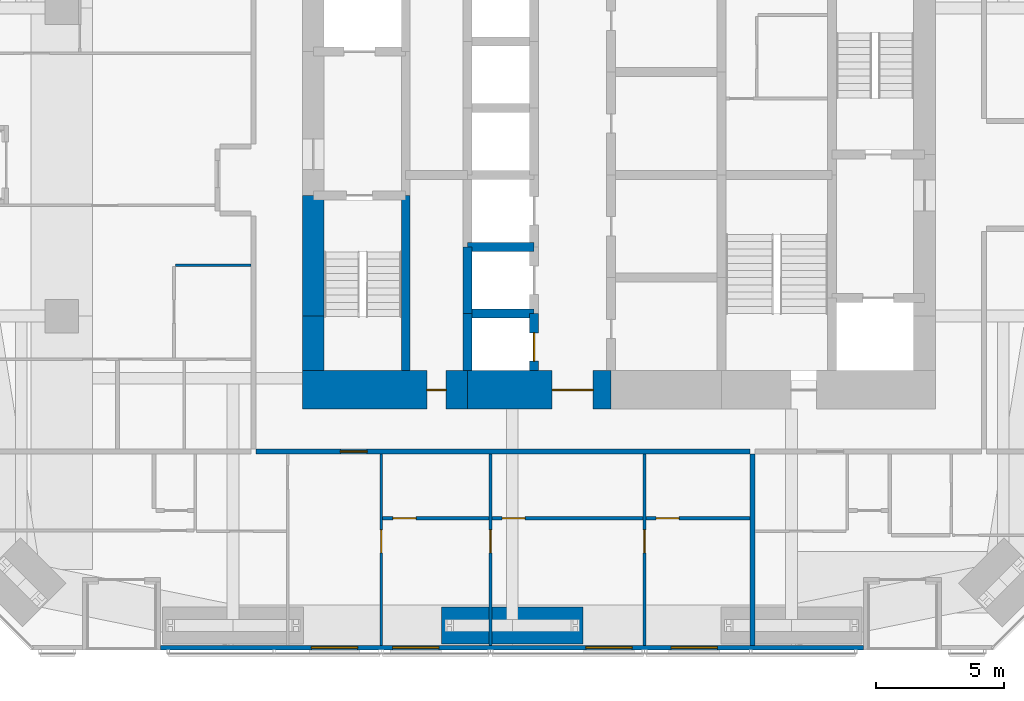
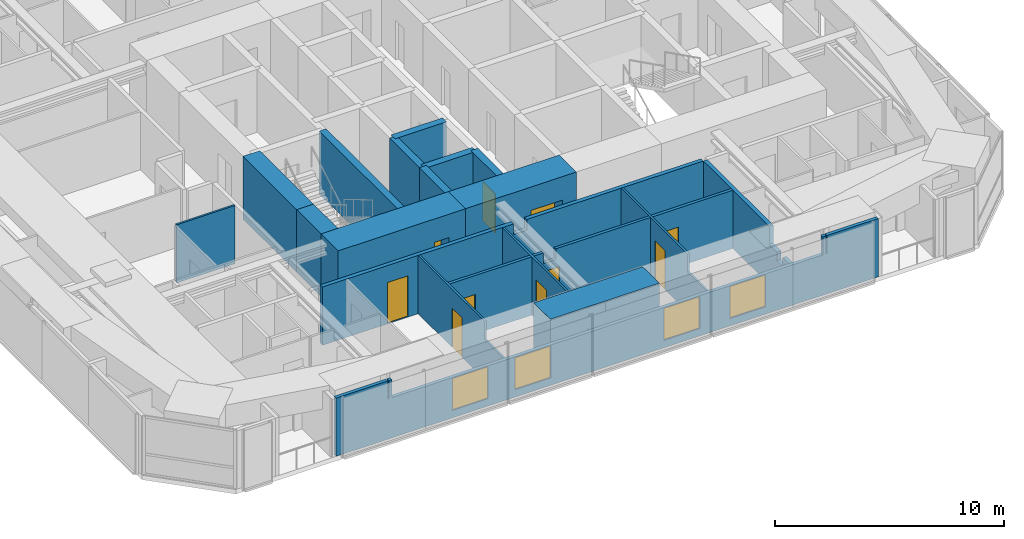
# One storey, part 17 of 23: 21 walls, 10 doors, 4 windows, 14 openings.
"""IFC4 building model written with IfcOpenShell, lengths in metres."""

import ifcopenshell
import ifcopenshell.guid

model = None  # the IFC model being written
_history = None  # IfcOwnerHistory: only IFC2X3 demands one
_inside = {}  # id of a spatial element -> (the spatial element, [elements in it])
_under = {}  # id of a project, library or spatial element -> (it, [spatial elements below it])
_declared = {}  # id of a project -> (the project, [libraries it declares])
_typed = {}  # id of a type object -> (the type object, [elements of that type])
_made_of = {}  # id of a material, layer set ... -> (it, [elements and type objects made of it])


def new_model(schema):
    """Start an empty IFC model of exactly this schema.

    Asked for "IFC4X3", IfcOpenShell would pick the latest addendum, in which some entities
    have other attributes; the version numbers below select the first issue.
    IFC2X3 requires an IfcOwnerHistory on every rooted entity: one is made here for all.
    """
    global model, _history
    if schema == "IFC4X3":
        model = ifcopenshell.file(schema_version=(4, 3, 0, 0))
    else:
        model = ifcopenshell.file(schema=schema)
    _inside.clear()
    _under.clear()
    _declared.clear()
    _typed.clear()
    _made_of.clear()
    _history = None
    if model.schema == "IFC2X3":
        org = make("IfcOrganization", Name="unknown")
        user = make(
            "IfcPersonAndOrganization",
            ThePerson=make("IfcPerson", FamilyName="unknown"),
            TheOrganization=org,
        )
        app = make(
            "IfcApplication",
            ApplicationDeveloper=org,
            Version="unknown",
            ApplicationFullName="unknown",
            ApplicationIdentifier="unknown",
        )
        _history = make(
            "IfcOwnerHistory",
            OwningUser=user,
            OwningApplication=app,
            ChangeAction="ADDED",
            CreationDate=0,
        )
    return model


def make(cls, **values):
    """One entity of the class cls with the attributes given. An attribute that is None is left unset."""
    return model.create_entity(
        cls, **{name: value for name, value in values.items() if value is not None}
    )


def rooted(cls, **values):
    """An entity with a GlobalId (a new one), such as an element, a storey or a relation."""
    return make(cls, GlobalId=ifcopenshell.guid.new(), OwnerHistory=_history, **values)


def si_unit(unit_type, name, prefix=None):
    """IfcSIUnit, for example si_unit("LENGTHUNIT", "METRE", prefix="MILLI")."""
    return make("IfcSIUnit", UnitType=unit_type, Prefix=prefix, Name=name)


def assignment(units):
    """IfcUnitAssignment: the units of a project."""
    return None if units is None else make("IfcUnitAssignment", Units=units)


def point(xyz):
    """IfcCartesianPoint."""
    return None if xyz is None else make("IfcCartesianPoint", Coordinates=xyz)


def direction(xyz):
    """IfcDirection."""
    return None if xyz is None else make("IfcDirection", DirectionRatios=xyz)


def frame(location, z_axis=None, x_axis=None):
    """IfcAxis2Placement3D, a coordinate frame: its origin and axes. An axis left out is left unset."""
    return make(
        "IfcAxis2Placement3D",
        Location=point(location),
        Axis=direction(z_axis),
        RefDirection=direction(x_axis),
    )


def frame_2d(location, x_axis=None):
    """IfcAxis2Placement2D, a coordinate frame in the plane: its origin and x axis."""
    return make(
        "IfcAxis2Placement2D", Location=point(location), RefDirection=direction(x_axis)
    )


def origin():
    """The frame at (0, 0, 0) with its axes left unset."""
    return frame((0.0, 0.0, 0.0))


def place(relative_to, where):
    """IfcLocalPlacement: puts the frame where relative to a parent placement (None: the world)."""
    return make(
        "IfcLocalPlacement", PlacementRelTo=relative_to, RelativePlacement=where
    )


def context(
    kind, dimensions, precision=None, world=None, true_north=None, identifier=None
):
    """IfcGeometricRepresentationContext, for example the 3D "Model" context."""
    return make(
        "IfcGeometricRepresentationContext",
        ContextIdentifier=identifier,
        ContextType=kind,
        CoordinateSpaceDimension=dimensions,
        Precision=precision,
        WorldCoordinateSystem=world,
        TrueNorth=true_north,
    )


def subcontext(parent, identifier, kind, view, scale=None):
    """IfcGeometricRepresentationSubContext, for example "Body" below "Model"."""
    return make(
        "IfcGeometricRepresentationSubContext",
        ContextIdentifier=identifier,
        ContextType=kind,
        ParentContext=parent,
        TargetScale=scale,
        TargetView=view,
    )


def project(units=None, contexts=None):
    """IfcProject with its units and contexts."""
    return rooted(
        "IfcProject",
        Name="project",
        RepresentationContexts=contexts,
        UnitsInContext=assignment(units),
    )


def spatial(cls, under=None, at=None, **own):
    """A site, building, storey or space (cls), placed at a placement, below another one or the project."""
    s = rooted(cls, ObjectPlacement=at, **own)
    if under is not None:
        _under.setdefault(under.id(), (under, []))[1].append(s)
    return s


def polyline(points):
    """IfcPolyline through the points."""
    return make("IfcPolyline", Points=[point(p) for p in points])


def profile(cls, at=None, kind="AREA", **sizes):
    """A parametric profile (cls). Its sizes go by their IFC names, for example OverallWidth=200.0."""
    return make(cls, ProfileType=kind, Position=at, **sizes)


def rectangle(**sizes):
    """IfcRectangleProfileDef."""
    return profile("IfcRectangleProfileDef", **sizes)


def outline(outer, holes=None, kind="AREA"):
    """IfcArbitraryClosedProfileDef: a profile drawn as a closed curve; with holes, ...WithVoids."""
    if holes is None:
        return make("IfcArbitraryClosedProfileDef", ProfileType=kind, OuterCurve=outer)
    return make(
        "IfcArbitraryProfileDefWithVoids",
        ProfileType=kind,
        OuterCurve=outer,
        InnerCurves=holes,
    )


def extrude(swept, where, along, depth):
    """IfcExtrudedAreaSolid: the profile swept, set in the frame where, extruded along a direction by depth."""
    return make(
        "IfcExtrudedAreaSolid",
        SweptArea=swept,
        Position=where,
        ExtrudedDirection=direction(along),
        Depth=depth,
    )


def shape(context_of_items, identifier, shape_type, items):
    """IfcShapeRepresentation: the items that make up one representation, for example the "Body"."""
    return make(
        "IfcShapeRepresentation",
        ContextOfItems=context_of_items,
        RepresentationIdentifier=identifier,
        RepresentationType=shape_type,
        Items=items,
    )


def material(Name=None, Category=None):
    """IfcMaterial."""
    return make("IfcMaterial", Name=Name, Category=Category)


def layer(
    of_material, thickness, ventilated=None, Name=None, Category=None, Priority=None
):
    """IfcMaterialLayer: one layer of a wall or slab, of a material (None: an air gap)."""
    return make(
        "IfcMaterialLayer",
        Material=of_material,
        LayerThickness=thickness,
        IsVentilated=ventilated,
        Name=Name,
        Category=Category,
        Priority=Priority,
    )


def layer_set(layers, Name=None):
    """IfcMaterialLayerSet."""
    return make("IfcMaterialLayerSet", MaterialLayers=layers, LayerSetName=Name)


def constituent(of_material, Name=None, Category=None, fraction=None):
    """IfcMaterialConstituent: one of the materials an element consists of."""
    return make(
        "IfcMaterialConstituent",
        Name=Name,
        Material=of_material,
        Fraction=fraction,
        Category=Category,
    )


def constituent_set(constituents=None, Name=None):
    """IfcMaterialConstituentSet."""
    return make(
        "IfcMaterialConstituentSet", Name=Name, MaterialConstituents=constituents
    )


def made_of(thing, what):
    """Note that an element or type object is made of a material, layer set ...; save() writes the relation."""
    if what is not None:
        _made_of.setdefault(what.id(), (what, []))[1].append(thing)
    return thing


def type_object(cls, material=None, **own):
    """A type object (cls), such as IfcWallType, which elements share."""
    return made_of(rooted(cls, **own), material)


def element(
    cls,
    number,
    at=None,
    inside=None,
    cuts=None,
    type_object=None,
    material=None,
    context=None,
    identifier="Body",
    shape_type=None,
    held_by="IfcProductDefinitionShape",
    body=None,
    shapes=None,
    **own,
):
    """One element of the class cls, such as IfcWall. Its Tag is "e" and its number.

    at: its placement. inside: the storey or other place that contains it. cuts: it is an
    opening in that element (IfcRelVoidsElement). A single representation is given by context,
    identifier, shape_type and body (its items); several are given by shapes. held_by: the class
    of the entity that holds the representations. save() writes the other relations.
    """
    e = rooted(cls, Tag="e%d" % number, ObjectPlacement=at, **own)
    if body is not None:
        shapes = [shape(context, identifier, shape_type, body)]
    if shapes is not None:
        e.Representation = make(held_by, Representations=shapes)
    if inside is not None:
        _inside.setdefault(inside.id(), (inside, []))[1].append(e)
    if cuts is not None:
        rooted(
            "IfcRelVoidsElement", RelatingBuildingElement=cuts, RelatedOpeningElement=e
        )
    if type_object is not None:
        _typed.setdefault(type_object.id(), (type_object, []))[1].append(e)
    return made_of(e, material)


def fill(opening, filler):
    """IfcRelFillsElement: the door or window that sits in an opening."""
    return rooted(
        "IfcRelFillsElement",
        RelatingOpeningElement=opening,
        RelatedBuildingElement=filler,
    )


def aggregate(whole, parts):
    """IfcRelAggregates: a whole, such as a stair, and the parts it consists of."""
    return rooted("IfcRelAggregates", RelatingObject=whole, RelatedObjects=parts)


def save(model, path):
    """Write the relations noted so far, then the file.

    IfcRelAggregates (storeys below a building ...), IfcRelContainedInSpatialStructure (elements
    in a storey), IfcRelDefinesByType, IfcRelAssociatesMaterial and IfcRelDeclares: one each for
    every whole, place, type object, material and project.
    """
    for whole, parts in _under.values():
        aggregate(whole, parts)
    for where, things in _inside.values():
        rooted(
            "IfcRelContainedInSpatialStructure",
            RelatedElements=things,
            RelatingStructure=where,
        )
    for kind, things in _typed.values():
        rooted("IfcRelDefinesByType", RelatedObjects=things, RelatingType=kind)
    for what, things in _made_of.values():
        rooted("IfcRelAssociatesMaterial", RelatedObjects=things, RelatingMaterial=what)
    for by, libraries in _declared.values():
        rooted("IfcRelDeclares", RelatingContext=by, RelatedDefinitions=libraries)
    model.write(path)


model = new_model("IFC4")

# Units and contexts
model_context = context("Model", 3, precision=1e-05, world=origin(), true_north=direction((0.0, 1.0)))
body_context = subcontext(model_context, "Body", "Model", "MODEL_VIEW")
ifc_project = project(units=[si_unit("LENGTHUNIT", "METRE"), si_unit("AREAUNIT", "SQUARE_METRE"), si_unit("VOLUMEUNIT", "CUBIC_METRE"), si_unit("PLANEANGLEUNIT", "RADIAN"), si_unit("MASSUNIT", "GRAM", prefix="KILO")], contexts=[model_context])

# Site, building, storey
site_placement = place(None, origin())
site = spatial("IfcSite", under=ifc_project, at=site_placement, CompositionType="ELEMENT")
building_placement = place(site_placement, origin())
building = spatial("IfcBuilding", under=site, at=building_placement, Name="Jalousie Tower", CompositionType="ELEMENT")
storey_placement = place(building_placement, frame((0.0, 0.0, 114.89990234375)))
storey = spatial("IfcBuildingStorey", under=building, at=storey_placement, Name="L31", CompositionType="ELEMENT", Elevation=114.89990234375)

# Wall, opening, door
ifc_material_1 = material(Name="Concrete block ASTM C90", Category="concrete")
ifc_constituent_1 = constituent(ifc_material_1, Name="Body")
ifc_material_2 = material(Name="Render")
ifc_constituent_2 = constituent(ifc_material_2, Name="Finish")
ifc_constituent_set_1 = constituent_set(constituents=[ifc_constituent_1, ifc_constituent_2])
wall_type_1 = type_object("IfcWallType", Name="BATHROOM WALL 150", PredefinedType="PLUMBINGWALL", material=ifc_constituent_set_1)
wall_1_placement = place(storey_placement, frame((22.699951171875, 5.125, 0.0), z_axis=(0.0, 0.0, 1.0), x_axis=(1.0, 0.0, 0.0)))
wall_1 = element("IfcWall", 1, at=wall_1_placement, inside=storey, type_object=wall_type_1, Name="Bathroom Wall 150 L31", PredefinedType="PLUMBINGWALL", context=body_context, shape_type="SweptSolid", body=[
    extrude(rectangle(XDim=4.150146484375, YDim=0.14990234375, at=frame_2d((2.0751953125, 0.0))), origin(), (0.0, 0.0, 1.0), 3.110107421875),
])
opening_1_placement = place(wall_1_placement, frame((0.39990234375, 0.0, 0.0)))
opening_1 = element("IfcOpeningElement", 2, at=opening_1_placement, cuts=wall_1, Name="Opening D3", PredefinedType="OPENING", context=body_context, shape_type="SweptSolid", body=[
    extrude(rectangle(XDim=0.89990234375, YDim=2.10009765625, at=frame_2d((0.449951171875, 1.050048828125))), frame((0.0, 0.0849609375, 0.0), z_axis=(0.0, -1.0, 0.0), x_axis=(1.0, 0.0, 0.0)), (0.0, 0.0, 1.0), 0.169921875),
])
ifc_material_3 = material(Name="Timber door", Category="wood")
door_type_1 = type_object("IfcDoorType", Name="BATHROOM DOOR 900", OperationType="SINGLE_SWING_LEFT", PredefinedType="DOOR", material=ifc_material_3)
door_1_placement = place(opening_1_placement, origin())
door_1 = element("IfcDoor", 3, at=door_1_placement, inside=storey, type_object=door_type_1, Name="Apartment 3101 bedroom 1 bathroom door", OperationType="SINGLE_SWING_LEFT", OverallHeight=2.10009765625, OverallWidth=0.89990234375, PredefinedType="DOOR", context=body_context, shape_type="SweptSolid", body=[
    extrude(rectangle(XDim=0.89990234375, YDim=2.10009765625, at=frame_2d((0.449951171875, 1.050048828125))), frame((0.0, 0.02490234375, 0.0), z_axis=(0.0, -1.0, 0.0), x_axis=(1.0, 0.0, 0.0)), (0.0, 0.0, 1.0), 0.050048828125),
])
fill(opening_1, door_1)

wall_2_placement = place(storey_placement, frame((26.949951171875, 5.125, 0.0), z_axis=(0.0, 0.0, 1.0), x_axis=(1.0, 0.0, 0.0)))
wall_2 = element("IfcWall", 4, at=wall_2_placement, inside=storey, type_object=wall_type_1, Name="Bathroom Wall 150 L31", PredefinedType="PLUMBINGWALL", context=body_context, shape_type="SweptSolid", body=[
    extrude(outline(polyline([(0.0, 0.0), (5.900146484375, 0.0), (5.89990234375, 3.110107421875), (1.1123046875, 3.110107421875), (1.1123046875, 2.541015625), (0.487548828125, 2.541015625), (0.487548828125, 3.110107421875), (0.0, 3.110107421875), (0.0, 0.0)])), frame((0.0, 0.074951171875, 0.0), z_axis=(0.0, -1.0, 0.0), x_axis=(1.0, 0.0, 0.0)), (0.0, 0.0, 1.0), 0.14990234375),
])
opening_2_placement = place(wall_2_placement, frame((0.39990234375, 0.0, 0.0)))
opening_2 = element("IfcOpeningElement", 5, at=opening_2_placement, cuts=wall_2, Name="Opening D3", PredefinedType="OPENING", context=body_context, shape_type="SweptSolid", body=[
    extrude(rectangle(XDim=0.89990234375, YDim=2.10009765625, at=frame_2d((0.449951171875, 1.050048828125))), frame((0.0, 0.0849609375, 0.0), z_axis=(0.0, -1.0, 0.0), x_axis=(1.0, 0.0, 0.0)), (0.0, 0.0, 1.0), 0.169921875),
])
door_2_placement = place(opening_2_placement, origin())
door_2 = element("IfcDoor", 6, at=door_2_placement, inside=storey, type_object=door_type_1, Name="Apartment 3101 bedroom 2 bathroom door", OperationType="SINGLE_SWING_LEFT", OverallHeight=2.10009765625, OverallWidth=0.89990234375, PredefinedType="DOOR", context=body_context, shape_type="SweptSolid", body=[
    extrude(rectangle(XDim=0.89990234375, YDim=2.10009765625, at=frame_2d((0.449951171875, 1.050048828125))), frame((0.0, 0.02490234375, 0.0), z_axis=(0.0, -1.0, 0.0), x_axis=(1.0, 0.0, 0.0)), (0.0, 0.0, 1.0), 0.050048828125),
])
fill(opening_2, door_2)

wall_3_placement = place(storey_placement, frame((32.949951171875, 5.125, 0.0), z_axis=(0.0, 0.0, 1.0), x_axis=(1.0, 0.0, 0.0)))
wall_3 = element("IfcWall", 7, at=wall_3_placement, inside=storey, type_object=wall_type_1, Name="Bathroom Wall 150 L31", PredefinedType="PLUMBINGWALL", context=body_context, shape_type="SweptSolid", body=[
    extrude(rectangle(XDim=4.050048828125, YDim=0.14990234375, at=frame_2d((2.02490234375, 0.0))), origin(), (0.0, 0.0, 1.0), 3.110107421875),
])
opening_3_placement = place(wall_3_placement, frame((0.39990234375, 0.0, 0.0)))
opening_3 = element("IfcOpeningElement", 8, at=opening_3_placement, cuts=wall_3, Name="Opening D3", PredefinedType="OPENING", context=body_context, shape_type="SweptSolid", body=[
    extrude(rectangle(XDim=0.89990234375, YDim=2.10009765625, at=frame_2d((0.449951171875, 1.050048828125))), frame((0.0, 0.0849609375, 0.0), z_axis=(0.0, -1.0, 0.0), x_axis=(1.0, 0.0, 0.0)), (0.0, 0.0, 1.0), 0.169921875),
])
door_3_placement = place(opening_3_placement, origin())
door_3 = element("IfcDoor", 9, at=door_3_placement, inside=storey, type_object=door_type_1, Name="Apartment 3101 bedroom 3 bathroom door", OperationType="SINGLE_SWING_LEFT", OverallHeight=2.10009765625, OverallWidth=0.89990234375, PredefinedType="DOOR", context=body_context, shape_type="SweptSolid", body=[
    extrude(rectangle(XDim=0.89990234375, YDim=2.10009765625, at=frame_2d((0.449951171875, 1.050048828125))), frame((0.0, 0.02490234375, 0.0), z_axis=(0.0, -1.0, 0.0), x_axis=(1.0, 0.0, 0.0)), (0.0, 0.0, 1.0), 0.050048828125),
])
fill(opening_3, door_3)

ifc_material_4 = material(Name="Concrete f'c 120 MPa", Category="concrete")
ifc_layer_1 = layer(ifc_material_4, 1.5)
ifc_layer_set_1 = layer_set([ifc_layer_1], Name="Concrete f'c 120 MPa")
wall_type_2 = type_object("IfcWallType", Name="CORE WALL 1500", PredefinedType="SHEAR", material=ifc_layer_set_1)
wall_4_placement = place(storey_placement, frame((19.574951171875, 10.125, 0.0), z_axis=(0.0, 0.0, 1.0), x_axis=(1.0, 0.0, 0.0)))
wall_4 = element("IfcWall", 10, at=wall_4_placement, inside=storey, type_object=wall_type_2, Name="Core wall SA L31", PredefinedType="SHEAR", context=body_context, shape_type="SweptSolid", body=[
    extrude(rectangle(XDim=6.425048828125, YDim=1.5, at=frame_2d((3.21240234375, 0.0))), origin(), (0.0, 0.0, 1.0), 3.35009765625),
])
opening_4_placement = place(wall_4_placement, frame((4.85009765625, 0.0, 0.0)))
opening_4 = element("IfcOpeningElement", 11, at=opening_4_placement, cuts=wall_4, Name="Opening D16", PredefinedType="OPENING", context=body_context, shape_type="SweptSolid", body=[
    extrude(rectangle(XDim=0.75, YDim=2.10009765625, at=frame_2d((0.375, 1.050048828125))), frame((0.0, 0.760009765625, 0.0), z_axis=(0.0, -1.0, 0.0), x_axis=(1.0, 0.0, 0.0)), (0.0, 0.0, 1.0), 1.52001953125),
])
ifc_material_5 = material(Name="Steel fire door", Category="steel")
door_type_2 = type_object("IfcDoorType", Name="RISER DOOR 750", OperationType="SINGLE_SWING_LEFT", PredefinedType="DOOR", material=ifc_material_5)
door_4_placement = place(opening_4_placement, origin())
door_4 = element("IfcDoor", 12, at=door_4_placement, inside=storey, type_object=door_type_2, Name="South riser door", OperationType="SINGLE_SWING_LEFT", OverallHeight=2.10009765625, OverallWidth=0.75, PredefinedType="DOOR", context=body_context, shape_type="SweptSolid", body=[
    extrude(rectangle(XDim=0.75, YDim=2.10009765625, at=frame_2d((0.375, 1.050048828125))), frame((0.0, 0.02490234375, 0.0), z_axis=(0.0, -1.0, 0.0), x_axis=(1.0, 0.0, 0.0)), (0.0, 0.0, 1.0), 0.050048828125),
])
fill(opening_4, door_4)

wall_5_placement = place(storey_placement, frame((26.0, 10.125, 0.0), z_axis=(0.0, 0.0, 1.0), x_axis=(1.0, 0.0, 0.0)))
wall_5 = element("IfcWall", 13, at=wall_5_placement, inside=storey, type_object=wall_type_2, Name="Core wall SB L31", PredefinedType="SHEAR", context=body_context, shape_type="SweptSolid", body=[
    extrude(rectangle(XDim=5.60009765625, YDim=1.5, at=frame_2d((2.800048828125, 0.0))), origin(), (0.0, 0.0, 1.0), 3.35009765625),
])
opening_5_placement = place(wall_5_placement, frame((3.300048828125, 0.0, 0.0)))
opening_5 = element("IfcOpeningElement", 14, at=opening_5_placement, cuts=wall_5, Name="Opening D15", PredefinedType="OPENING", context=body_context, shape_type="SweptSolid", body=[
    extrude(rectangle(XDim=1.60009765625, YDim=2.10009765625, at=frame_2d((0.800048828125, 1.050048828125))), frame((0.0, 0.760009765625, 0.0), z_axis=(0.0, -1.0, 0.0), x_axis=(1.0, 0.0, 0.0)), (0.0, 0.0, 1.0), 1.52001953125),
])
ifc_material_6 = material(Name="Steel fire door", Category="steel")
door_type_3 = type_object("IfcDoorType", Name="LIFT LOBBY DOOR 1600", OperationType="DOUBLE_DOOR_SINGLE_SWING", PredefinedType="DOOR", material=ifc_material_6)
door_5_placement = place(opening_5_placement, origin())
door_5 = element("IfcDoor", 15, at=door_5_placement, inside=storey, type_object=door_type_3, Name="Lift lobby south door", OperationType="DOUBLE_DOOR_SINGLE_SWING", OverallHeight=2.10009765625, OverallWidth=1.60009765625, PredefinedType="DOOR", context=body_context, shape_type="SweptSolid", body=[
    extrude(rectangle(XDim=1.60009765625, YDim=2.10009765625, at=frame_2d((0.800048828125, 1.050048828125))), frame((0.0, 0.02490234375, 0.0), z_axis=(0.0, -1.0, 0.0), x_axis=(1.0, 0.0, 0.0)), (0.0, 0.0, 1.0), 0.050048828125),
])
fill(opening_5, door_5)

# Walls
ifc_material_7 = material(Name="Concrete f'c 120 MPa", Category="concrete")
ifc_layer_2 = layer(ifc_material_7, 0.35009765625)
ifc_layer_set_2 = layer_set([ifc_layer_2], Name="Concrete f'c 120 MPa")
wall_type_3 = type_object("IfcWallType", Name="CORE WALL 350", PredefinedType="SHEAR", material=ifc_layer_set_2)
wall_6_placement = place(storey_placement, frame((23.60009765625, 10.875, 0.0), z_axis=(0.0, 0.0, 1.0), x_axis=(0.0, 1.0, 0.0)))
element("IfcWall", 16, at=wall_6_placement, inside=storey, type_object=wall_type_3, Name="Core wall X23.6A L31", PredefinedType="SHEAR", context=body_context, shape_type="SweptSolid", body=[
    extrude(rectangle(XDim=6.824951171875, YDim=0.35009765625, at=frame_2d((3.41259765625, 0.0))), origin(), (0.0, 0.0, 1.0), 3.35009765625),
])
wall_7_placement = place(storey_placement, frame((26.0, 10.875, 0.0), z_axis=(0.0, 0.0, 1.0), x_axis=(0.0, 1.0, 0.0)))
element("IfcWall", 17, at=wall_7_placement, inside=storey, type_object=wall_type_3, Name="Core wall X26A L31", PredefinedType="SHEAR", context=body_context, shape_type="SweptSolid", body=[
    extrude(rectangle(XDim=2.22509765625, YDim=0.35009765625, at=frame_2d((1.112548828125, 0.0))), origin(), (0.0, 0.0, 1.0), 3.35009765625),
])
wall_8_placement = place(storey_placement, frame((26.0, 13.10009765625, 0.0), z_axis=(0.0, 0.0, 1.0), x_axis=(0.0, 1.0, 0.0)))
element("IfcWall", 18, at=wall_8_placement, inside=storey, type_object=wall_type_3, Name="Core wall X26B L31", PredefinedType="SHEAR", context=body_context, shape_type="SweptSolid", body=[
    extrude(rectangle(XDim=2.599853515625, YDim=0.35009765625, at=frame_2d((1.2998046875, 0.0))), origin(), (0.0, 0.0, 1.0), 3.35009765625),
])

# Wall, opening, door
wall_9_placement = place(storey_placement, frame((28.60009765625, 10.875, 0.0), z_axis=(0.0, 0.0, 1.0), x_axis=(0.0, 1.0, 0.0)))
wall_9 = element("IfcWall", 19, at=wall_9_placement, inside=storey, type_object=wall_type_3, Name="Core wall X28.6A L31", PredefinedType="SHEAR", context=body_context, shape_type="SweptSolid", body=[
    extrude(rectangle(XDim=2.22509765625, YDim=0.35009765625, at=frame_2d((1.112548828125, 0.0))), origin(), (0.0, 0.0, 1.0), 3.35009765625),
])
opening_6_placement = place(wall_9_placement, frame((0.375, 0.0, 0.0)))
opening_6 = element("IfcOpeningElement", 20, at=opening_6_placement, cuts=wall_9, Name="Opening LD1", PredefinedType="OPENING", context=body_context, shape_type="SweptSolid", body=[
    extrude(rectangle(XDim=1.10009765625, YDim=2.10009765625, at=frame_2d((0.550048828125, 1.050048828125))), frame((0.0, 0.18505859375, 0.0), z_axis=(0.0, -1.0, 0.0), x_axis=(1.0, 0.0, 0.0)), (0.0, 0.0, 1.0), 0.3701171875),
])
ifc_material_8 = material(Name="Steel lift landing door", Category="steel")
door_type_4 = type_object("IfcDoorType", Name="LIFT LANDING DOOR 1100", OperationType="SLIDING_TO_LEFT", PredefinedType="DOOR", material=ifc_material_8)
door_6_placement = place(opening_6_placement, origin())
door_6 = element("IfcDoor", 21, at=door_6_placement, inside=storey, type_object=door_type_4, Name="Lift P1 landing door", OperationType="SLIDING_TO_LEFT", OverallHeight=2.10009765625, OverallWidth=1.10009765625, PredefinedType="DOOR", context=body_context, shape_type="SweptSolid", body=[
    extrude(rectangle(XDim=1.10009765625, YDim=2.10009765625, at=frame_2d((0.550048828125, 1.050048828125))), frame((0.0, 0.02490234375, 0.0), z_axis=(0.0, -1.0, 0.0), x_axis=(1.0, 0.0, 0.0)), (0.0, 0.0, 1.0), 0.050048828125),
])
fill(opening_6, door_6)

# Walls
for number, where, z_axis, x_axis, name in (
    (22, (26.0, 13.10009765625, 0.0), (0.0, 0.0, 1.0), (1.0, 0.0, 0.0), "Core wall Y26-13.1 L31"),
    (23, (26.0, 15.699951171875, 0.0), (0.0, 0.0, 1.0), (1.0, 0.0, 0.0), "Core wall Y26-15.7 L31"),
):
    element("IfcWall", number, at=place(storey_placement, frame(where, z_axis=z_axis, x_axis=x_axis)), inside=storey, type_object=wall_type_3, Name=name, PredefinedType="SHEAR", context=body_context, shape_type="SweptSolid", body=[
        extrude(rectangle(XDim=2.60009765625, YDim=0.35009765625, at=frame_2d((1.300048828125, 0.0))), origin(), (0.0, 0.0, 1.0), 3.35009765625),
    ])
ifc_material_9 = material(Name="Concrete f'c 120 MPa", Category="concrete")
ifc_layer_3 = layer(ifc_material_9, 0.85009765625)
ifc_layer_set_3 = layer_set([ifc_layer_3], Name="Concrete f'c 120 MPa")
wall_type_4 = type_object("IfcWallType", Name="CORE WALL 850", PredefinedType="SHEAR", material=ifc_layer_set_3)
wall_10_placement = place(storey_placement, frame((20.0, 17.699951171875, 0.0), z_axis=(0.0, 0.0, 1.0), x_axis=(0.0, -1.0, 0.0)))
element("IfcWall", 24, at=wall_10_placement, inside=storey, type_object=wall_type_4, Name="Core wall WC L31", PredefinedType="SHEAR", context=body_context, shape_type="SweptSolid", body=[
    extrude(rectangle(XDim=4.699951171875, YDim=0.85009765625, at=frame_2d((2.35009765625, 0.0))), origin(), (0.0, 0.0, 1.0), 3.35009765625),
])
wall_11_placement = place(storey_placement, frame((20.0, 13.0, 0.0), z_axis=(0.0, 0.0, 1.0), x_axis=(0.0, -1.0, 0.0)))
element("IfcWall", 25, at=wall_11_placement, inside=storey, type_object=wall_type_4, Name="Core wall WD L31", PredefinedType="SHEAR", context=body_context, shape_type="SweptSolid", body=[
    extrude(rectangle(XDim=2.125, YDim=0.85009765625, at=frame_2d((1.0625, 0.0))), origin(), (0.0, 0.0, 1.0), 3.35009765625),
])

# Wall, opening, door
ifc_material_10 = material(Name="Concrete block ASTM C90", Category="concrete")
ifc_constituent_3 = constituent(ifc_material_10, Name="Body")
ifc_material_11 = material(Name="Render")
ifc_constituent_4 = constituent(ifc_material_11, Name="Finish")
ifc_constituent_set_2 = constituent_set(constituents=[ifc_constituent_3, ifc_constituent_4])
wall_type_5 = type_object("IfcWallType", Name="CORRIDOR WALL 200", PredefinedType="PARTITIONING", material=ifc_constituent_set_2)
wall_12_placement = place(storey_placement, frame((17.77490234375, 7.72509765625, 0.0), z_axis=(0.0, 0.0, 1.0), x_axis=(1.0, 0.0, 0.0)))
wall_12 = element("IfcWall", 26, at=wall_12_placement, inside=storey, type_object=wall_type_5, Name="Corridor Wall 200 L31", PredefinedType="PARTITIONING", context=body_context, shape_type="SweptSolid", body=[
    extrude(outline(polyline([(0.0, 0.0), (19.22509765625, 0.0), (19.22509765625, 3.110107421875), (10.312255859375, 3.110107421875), (10.312255859375, 2.541015625), (9.6376953125, 2.541015625), (9.6376953125, 3.110107421875), (0.0, 3.110107421875), (0.0, 0.0)])), frame((0.0, 0.10009765625, 0.0), z_axis=(0.0, -1.0, 0.0), x_axis=(1.0, 0.0, 0.0)), (0.0, 0.0, 1.0), 0.199951171875),
])
opening_7_placement = place(wall_12_placement, frame((3.27490234375, 0.0, 0.0)))
opening_7 = element("IfcOpeningElement", 27, at=opening_7_placement, cuts=wall_12, Name="Opening D1", PredefinedType="OPENING", context=body_context, shape_type="SweptSolid", body=[
    extrude(rectangle(XDim=1.050048828125, YDim=2.199951171875, at=frame_2d((0.52490234375, 1.10009765625))), frame((0.0, 0.10986328125, 0.0), z_axis=(0.0, -1.0, 0.0), x_axis=(1.0, 0.0, 0.0)), (0.0, 0.0, 1.0), 0.219970703125),
])
ifc_material_12 = material(Name="Timber fire door", Category="wood")
door_type_5 = type_object("IfcDoorType", Name="APARTMENT ENTRANCE DOOR 1050", OperationType="SINGLE_SWING_LEFT", PredefinedType="DOOR", material=ifc_material_12)
door_7_placement = place(opening_7_placement, frame((1.050048828125, 0.0, 0.0), z_axis=(0.0, 0.0, 1.0), x_axis=(-1.0, 0.0, 0.0)))
door_7 = element("IfcDoor", 28, at=door_7_placement, inside=storey, type_object=door_type_5, Name="Apartment 3101 entrance", OperationType="SINGLE_SWING_LEFT", OverallHeight=2.199951171875, OverallWidth=1.050048828125, PredefinedType="DOOR", context=body_context, shape_type="SweptSolid", body=[
    extrude(rectangle(XDim=1.050048828125, YDim=2.199951171875, at=frame_2d((0.52490234375, 1.10009765625))), frame((0.0, 0.02490234375, 0.0), z_axis=(0.0, -1.0, 0.0), x_axis=(1.0, 0.0, 0.0)), (0.0, 0.0, 1.0), 0.050048828125),
])
fill(opening_7, door_7)

# Wall, openings, windows
ifc_material_13 = material(Name="Concrete f'c 40 MPa", Category="concrete")
ifc_constituent_5 = constituent(ifc_material_13, Name="Body")
ifc_material_14 = material(Name="Render, pastel sea green")
ifc_constituent_6 = constituent(ifc_material_14, Name="Finish")
ifc_constituent_set_3 = constituent_set(constituents=[ifc_constituent_5, ifc_constituent_6])
wall_type_6 = type_object("IfcWallType", Name="EXTERNAL WALL 175 SEA GREEN RENDER", PredefinedType="SOLIDWALL", material=ifc_constituent_set_3)
wall_13_placement = place(storey_placement, frame((14.05126953125, 0.08740234375, 0.0), z_axis=(0.0, 0.0, 1.0), x_axis=(1.0, 0.0, 0.0)))
wall_13 = element("IfcWall", 29, at=wall_13_placement, inside=storey, type_object=wall_type_6, Name="External Wall 175 Sea Green Render L31", PredefinedType="SOLIDWALL", context=body_context, shape_type="SweptSolid", body=[
    extrude(outline(polyline([(0.0, 0.0), (27.373779296875, 0.0), (27.373779296875, 3.110107421875), (24.777099609375, 3.110107421875), (24.777099609375, 2.150146484375), (24.731689453125, 2.150146484375), (24.731689453125, 3.110107421875), (24.57373046875, 3.110107421875), (24.57373046875, 2.150146484375), (2.82373046875, 2.150146484375), (2.82373046875, 3.110107421875), (2.66552734375, 3.110107421875), (2.66552734375, 2.150146484375), (2.620361328125, 2.150146484375), (2.620361328125, 3.110107421875), (0.0, 3.110107421875), (0.0, 0.0)])), frame((0.0, 0.08740234375, 0.0), z_axis=(0.0, -1.0, 0.0), x_axis=(1.0, 0.0, 0.0)), (0.0, 0.0, 1.0), 0.175048828125),
])
opening_8_placement = place(wall_13_placement, frame((5.873779296875, 0.0, 0.39990234375)))
opening_8 = element("IfcOpeningElement", 30, at=opening_8_placement, cuts=wall_13, Name="Opening W-BED170", PredefinedType="OPENING", context=body_context, shape_type="SweptSolid", body=[
    extrude(rectangle(XDim=1.800048828125, YDim=1.699951171875, at=frame_2d((0.89990234375, 0.85009765625))), frame((0.0, 0.097412109375, 0.0), z_axis=(0.0, -1.0, 0.0), x_axis=(1.0, 0.0, 0.0)), (0.0, 0.0, 1.0), 0.195068359375),
])
opening_9_placement = place(wall_13_placement, frame((9.0400390625, 0.0, 0.39990234375)))
opening_9 = element("IfcOpeningElement", 31, at=opening_9_placement, cuts=wall_13, Name="Opening W-BED170", PredefinedType="OPENING", context=body_context, shape_type="SweptSolid", body=[
    extrude(rectangle(XDim=1.800048828125, YDim=1.699951171875, at=frame_2d((0.89990234375, 0.85009765625))), frame((0.0, 0.097412109375, 0.0), z_axis=(0.0, -1.0, 0.0), x_axis=(1.0, 0.0, 0.0)), (0.0, 0.0, 1.0), 0.195068359375),
])
opening_10_placement = place(wall_13_placement, frame((16.563720703125, 0.0, 0.39990234375)))
opening_10 = element("IfcOpeningElement", 32, at=opening_10_placement, cuts=wall_13, Name="Opening W-BED170", PredefinedType="OPENING", context=body_context, shape_type="SweptSolid", body=[
    extrude(rectangle(XDim=1.800048828125, YDim=1.699951171875, at=frame_2d((0.89990234375, 0.85009765625))), frame((0.0, 0.097412109375, 0.0), z_axis=(0.0, -1.0, 0.0), x_axis=(1.0, 0.0, 0.0)), (0.0, 0.0, 1.0), 0.195068359375),
])
opening_11_placement = place(wall_13_placement, frame((19.888671875, 0.0, 0.39990234375)))
opening_11 = element("IfcOpeningElement", 33, at=opening_11_placement, cuts=wall_13, Name="Opening W-BED170", PredefinedType="OPENING", context=body_context, shape_type="SweptSolid", body=[
    extrude(rectangle(XDim=1.800048828125, YDim=1.699951171875, at=frame_2d((0.89990234375, 0.85009765625))), frame((0.0, 0.097412109375, 0.0), z_axis=(0.0, -1.0, 0.0), x_axis=(1.0, 0.0, 0.0)), (0.0, 0.0, 1.0), 0.195068359375),
])
ifc_material_15 = material(Name="Aluminium frame, impact-rated glazing", Category="aluminium")
window_type = type_object("IfcWindowType", Name="WINDOW BED 1800x1700", PartitioningType="SINGLE_PANEL", PredefinedType="WINDOW", material=ifc_material_15)
window_1_placement = place(opening_8_placement, origin())
window_1 = element("IfcWindow", 34, at=window_1_placement, inside=storey, type_object=window_type, Name="Apartment 3101 study window", OverallHeight=1.699951171875, OverallWidth=1.800048828125, PartitioningType="SINGLE_PANEL", PredefinedType="WINDOW", context=body_context, shape_type="SweptSolid", body=[
    extrude(rectangle(XDim=1.800048828125, YDim=1.699951171875, at=frame_2d((0.89990234375, 0.85009765625))), frame((0.0, 0.030029296875, 0.0), z_axis=(0.0, -1.0, 0.0), x_axis=(1.0, 0.0, 0.0)), (0.0, 0.0, 1.0), 0.06005859375),
])
fill(opening_8, window_1)
window_2_placement = place(opening_9_placement, origin())
window_2 = element("IfcWindow", 35, at=window_2_placement, inside=storey, type_object=window_type, Name="Apartment 3101 bedroom 1 window", OverallHeight=1.699951171875, OverallWidth=1.800048828125, PartitioningType="SINGLE_PANEL", PredefinedType="WINDOW", context=body_context, shape_type="SweptSolid", body=[
    extrude(rectangle(XDim=1.800048828125, YDim=1.699951171875, at=frame_2d((0.89990234375, 0.85009765625))), frame((0.0, 0.030029296875, 0.0), z_axis=(0.0, -1.0, 0.0), x_axis=(1.0, 0.0, 0.0)), (0.0, 0.0, 1.0), 0.06005859375),
])
fill(opening_9, window_2)
window_3_placement = place(opening_10_placement, origin())
window_3 = element("IfcWindow", 36, at=window_3_placement, inside=storey, type_object=window_type, Name="Apartment 3101 bedroom 2 window", OverallHeight=1.699951171875, OverallWidth=1.800048828125, PartitioningType="SINGLE_PANEL", PredefinedType="WINDOW", context=body_context, shape_type="SweptSolid", body=[
    extrude(rectangle(XDim=1.800048828125, YDim=1.699951171875, at=frame_2d((0.89990234375, 0.85009765625))), frame((0.0, 0.030029296875, 0.0), z_axis=(0.0, -1.0, 0.0), x_axis=(1.0, 0.0, 0.0)), (0.0, 0.0, 1.0), 0.06005859375),
])
fill(opening_10, window_3)
window_4_placement = place(opening_11_placement, origin())
window_4 = element("IfcWindow", 37, at=window_4_placement, inside=storey, type_object=window_type, Name="Apartment 3101 bedroom 3 window", OverallHeight=1.699951171875, OverallWidth=1.800048828125, PartitioningType="SINGLE_PANEL", PredefinedType="WINDOW", context=body_context, shape_type="SweptSolid", body=[
    extrude(rectangle(XDim=1.800048828125, YDim=1.699951171875, at=frame_2d((0.89990234375, 0.85009765625))), frame((0.0, 0.030029296875, 0.0), z_axis=(0.0, -1.0, 0.0), x_axis=(1.0, 0.0, 0.0)), (0.0, 0.0, 1.0), 0.06005859375),
])
fill(opening_11, window_4)

# Wall, opening, door
ifc_material_16 = material(Name="Gypsum board", Category="gypsum")
ifc_constituent_7 = constituent(ifc_material_16, Name="Body")
ifc_material_17 = material(Name="Light-gauge steel studs ASTM A653 SS Grade 33", Category="steel")
ifc_constituent_8 = constituent(ifc_material_17, Name="Framing")
ifc_constituent_set_4 = constituent_set(constituents=[ifc_constituent_7, ifc_constituent_8])
wall_type_7 = type_object("IfcWallType", Name="PARTITION 100", PredefinedType="PARTITIONING", material=ifc_constituent_set_4)
wall_14_placement = place(storey_placement, frame((22.64990234375, 0.175048828125, 0.0), z_axis=(0.0, 0.0, 1.0), x_axis=(0.0, 1.0, 0.0)))
wall_14 = element("IfcWall", 38, at=wall_14_placement, inside=storey, type_object=wall_type_7, Name="Partition 100 L31", PredefinedType="PARTITIONING", context=body_context, shape_type="SweptSolid", body=[
    extrude(outline(polyline([(0.0, 0.0), (7.449951171875, 0.0), (7.449951171875, 3.110107421875), (1.635009765625, 3.110107421875), (1.635009765625, 2.150146484375), (0.0, 2.150146484375), (0.0, 3.110107421875), (0.0, 0.0)])), frame((0.0, 0.050048828125, 0.0), z_axis=(0.0, -1.0, 0.0), x_axis=(1.0, 0.0, 0.0)), (0.0, 0.0, 1.0), 0.10009765625),
])
opening_12_placement = place(wall_14_placement, frame((3.60009765625, 0.0, 0.0)))
opening_12 = element("IfcOpeningElement", 39, at=opening_12_placement, cuts=wall_14, Name="Opening D2", PredefinedType="OPENING", context=body_context, shape_type="SweptSolid", body=[
    extrude(rectangle(XDim=0.89990234375, YDim=2.10009765625, at=frame_2d((0.449951171875, 1.050048828125))), frame((0.0, 0.06005859375, 0.0), z_axis=(0.0, -1.0, 0.0), x_axis=(1.0, 0.0, 0.0)), (0.0, 0.0, 1.0), 0.1201171875),
])
ifc_material_18 = material(Name="Timber door", Category="wood")
door_type_6 = type_object("IfcDoorType", Name="BEDROOM DOOR 900", OperationType="SINGLE_SWING_LEFT", PredefinedType="DOOR", material=ifc_material_18)
door_8_placement = place(opening_12_placement, frame((0.89990234375, 0.0, 0.0), z_axis=(0.0, 0.0, 1.0), x_axis=(-1.0, 0.0, 0.0)))
door_8 = element("IfcDoor", 40, at=door_8_placement, inside=storey, type_object=door_type_6, Name="Apartment 3101 bedroom 1 door", OperationType="SINGLE_SWING_LEFT", OverallHeight=2.10009765625, OverallWidth=0.89990234375, PredefinedType="DOOR", context=body_context, shape_type="SweptSolid", body=[
    extrude(rectangle(XDim=0.89990234375, YDim=2.10009765625, at=frame_2d((0.449951171875, 1.050048828125))), frame((0.0, 0.02490234375, 0.0), z_axis=(0.0, -1.0, 0.0), x_axis=(1.0, 0.0, 0.0)), (0.0, 0.0, 1.0), 0.050048828125),
])
fill(opening_12, door_8)

wall_15_placement = place(storey_placement, frame((26.89990234375, 0.175048828125, 0.0), z_axis=(0.0, 0.0, 1.0), x_axis=(0.0, 1.0, 0.0)))
wall_15 = element("IfcWall", 41, at=wall_15_placement, inside=storey, type_object=wall_type_7, Name="Partition 100 L31", PredefinedType="PARTITIONING", context=body_context, shape_type="SweptSolid", body=[
    extrude(outline(polyline([(0.52880859375, 2.150146484375), (0.0, 2.150146484375), (0.0, 0.0), (0.52880859375, 0.0), (0.52880859375, 0.888916015625), (1.021240234375, 0.888916015625), (1.021240234375, 0.0), (7.449951171875, 0.0), (7.449951171875, 3.110107421875), (1.635009765625, 3.110107421875), (1.635009765625, 2.150146484375), (1.021240234375, 2.150146484375), (1.021240234375, 1.26123046875), (0.52880859375, 1.26123046875), (0.52880859375, 2.150146484375)])), frame((0.0, 0.050048828125, 0.0), z_axis=(0.0, -1.0, 0.0), x_axis=(1.0, 0.0, 0.0)), (0.0, 0.0, 1.0), 0.10009765625),
])
opening_13_placement = place(wall_15_placement, frame((3.60009765625, 0.0, 0.0)))
opening_13 = element("IfcOpeningElement", 42, at=opening_13_placement, cuts=wall_15, Name="Opening D2", PredefinedType="OPENING", context=body_context, shape_type="SweptSolid", body=[
    extrude(rectangle(XDim=0.89990234375, YDim=2.10009765625, at=frame_2d((0.449951171875, 1.050048828125))), frame((0.0, 0.06005859375, 0.0), z_axis=(0.0, -1.0, 0.0), x_axis=(1.0, 0.0, 0.0)), (0.0, 0.0, 1.0), 0.1201171875),
])
door_9_placement = place(opening_13_placement, frame((0.89990234375, 0.0, 0.0), z_axis=(0.0, 0.0, 1.0), x_axis=(-1.0, 0.0, 0.0)))
door_9 = element("IfcDoor", 43, at=door_9_placement, inside=storey, type_object=door_type_6, Name="Apartment 3101 bedroom 2 door", OperationType="SINGLE_SWING_LEFT", OverallHeight=2.10009765625, OverallWidth=0.89990234375, PredefinedType="DOOR", context=body_context, shape_type="SweptSolid", body=[
    extrude(rectangle(XDim=0.89990234375, YDim=2.10009765625, at=frame_2d((0.449951171875, 1.050048828125))), frame((0.0, 0.02490234375, 0.0), z_axis=(0.0, -1.0, 0.0), x_axis=(1.0, 0.0, 0.0)), (0.0, 0.0, 1.0), 0.050048828125),
])
fill(opening_13, door_9)

wall_16_placement = place(storey_placement, frame((32.89990234375, 0.175048828125, 0.0), z_axis=(0.0, 0.0, 1.0), x_axis=(0.0, 1.0, 0.0)))
wall_16 = element("IfcWall", 44, at=wall_16_placement, inside=storey, type_object=wall_type_7, Name="Partition 100 L31", PredefinedType="PARTITIONING", context=body_context, shape_type="SweptSolid", body=[
    extrude(outline(polyline([(0.0, 0.0), (7.449951171875, 0.0), (7.449951171875, 3.110107421875), (1.635009765625, 3.110107421875), (1.635009765625, 2.150146484375), (0.0, 2.150146484375), (0.0, 3.110107421875), (0.0, 0.0)])), frame((0.0, 0.050048828125, 0.0), z_axis=(0.0, -1.0, 0.0), x_axis=(1.0, 0.0, 0.0)), (0.0, 0.0, 1.0), 0.10009765625),
])
opening_14_placement = place(wall_16_placement, frame((3.60009765625, 0.0, 0.0)))
opening_14 = element("IfcOpeningElement", 45, at=opening_14_placement, cuts=wall_16, Name="Opening D2", PredefinedType="OPENING", context=body_context, shape_type="SweptSolid", body=[
    extrude(rectangle(XDim=0.89990234375, YDim=2.10009765625, at=frame_2d((0.449951171875, 1.050048828125))), frame((0.0, 0.06005859375, 0.0), z_axis=(0.0, -1.0, 0.0), x_axis=(1.0, 0.0, 0.0)), (0.0, 0.0, 1.0), 0.1201171875),
])
door_10_placement = place(opening_14_placement, origin())
door_10 = element("IfcDoor", 46, at=door_10_placement, inside=storey, type_object=door_type_6, Name="Apartment 3101 bedroom 3 door", OperationType="SINGLE_SWING_RIGHT", OverallHeight=2.10009765625, OverallWidth=0.89990234375, PredefinedType="DOOR", context=body_context, shape_type="SweptSolid", body=[
    extrude(rectangle(XDim=0.89990234375, YDim=2.10009765625, at=frame_2d((0.449951171875, 1.050048828125))), frame((0.0, 0.02490234375, 0.0), z_axis=(0.0, -1.0, 0.0), x_axis=(1.0, 0.0, 0.0)), (0.0, 0.0, 1.0), 0.050048828125),
])
fill(opening_14, door_10)

# Walls
wall_17_placement = place(storey_placement, frame((14.625, 14.97509765625, 0.0), z_axis=(0.0, 0.0, 1.0), x_axis=(1.0, 0.0, 0.0)))
element("IfcWall", 47, at=wall_17_placement, inside=storey, type_object=wall_type_7, Name="Partition 100 L31", PredefinedType="PARTITIONING", context=body_context, shape_type="SweptSolid", body=[
    extrude(rectangle(XDim=2.949951171875, YDim=0.10009765625, at=frame_2d((1.47509765625, 0.0))), origin(), (0.0, 0.0, 1.0), 3.110107421875),
])
ifc_material_19 = material(Name="Concrete block ASTM C90", Category="concrete")
ifc_constituent_9 = constituent(ifc_material_19, Name="Body")
ifc_material_20 = material(Name="Render")
ifc_constituent_10 = constituent(ifc_material_20, Name="Finish")
ifc_constituent_set_5 = constituent_set(constituents=[ifc_constituent_9, ifc_constituent_10])
wall_type_8 = type_object("IfcWallType", Name="PARTY WALL 200", PredefinedType="PARTITIONING", material=ifc_constituent_set_5)
wall_18_placement = place(storey_placement, frame((37.10009765625, 0.175048828125, 0.0), z_axis=(0.0, 0.0, 1.0), x_axis=(0.0, 1.0, 0.0)))
element("IfcWall", 48, at=wall_18_placement, inside=storey, type_object=wall_type_8, Name="Party Wall 200 L31", PredefinedType="PARTITIONING", context=body_context, shape_type="SweptSolid", body=[
    extrude(outline(polyline([(0.52880859375, 2.150146484375), (0.0, 2.150146484375), (0.0, 0.0), (0.52880859375, 0.0), (0.52880859375, 0.461669921875), (1.021240234375, 0.461669921875), (1.021240234375, 0.0), (7.449951171875, 0.0), (7.449951171875, 3.110107421875), (1.68505859375, 3.110107421875), (1.68505859375, 2.150146484375), (1.021240234375, 2.150146484375), (1.021240234375, 1.6884765625), (0.52880859375, 1.6884765625), (0.52880859375, 2.150146484375)])), frame((0.0, 0.10009765625, 0.0), z_axis=(0.0, -1.0, 0.0), x_axis=(1.0, 0.0, 0.0)), (0.0, 0.0, 1.0), 0.199951171875),
])
ifc_material_21 = material(Name="Concrete f'c 120 MPa", Category="concrete")
ifc_layer_4 = layer(ifc_material_21, 1.449951171875)
ifc_layer_set_4 = layer_set([ifc_layer_4], Name="Concrete f'c 120 MPa")
wall_type_9 = type_object("IfcWallType", Name="RC WALL PIER 1450", PredefinedType="SHEAR", material=ifc_layer_set_4)
wall_19_placement = place(storey_placement, frame((25.0, 0.949951171875, 0.0), z_axis=(0.0, 0.0, 1.0), x_axis=(1.0, 0.0, 0.0)))
element("IfcWall", 49, at=wall_19_placement, inside=storey, type_object=wall_type_9, Name="Wall pier 03 L31", PredefinedType="SHEAR", context=body_context, shape_type="SweptSolid", body=[
    extrude(rectangle(XDim=5.5, YDim=1.449951171875, at=frame_2d((2.75, 0.0))), origin(), (0.0, 0.0, 1.0), 3.35009765625),
])

save(model, "model.ifc")
